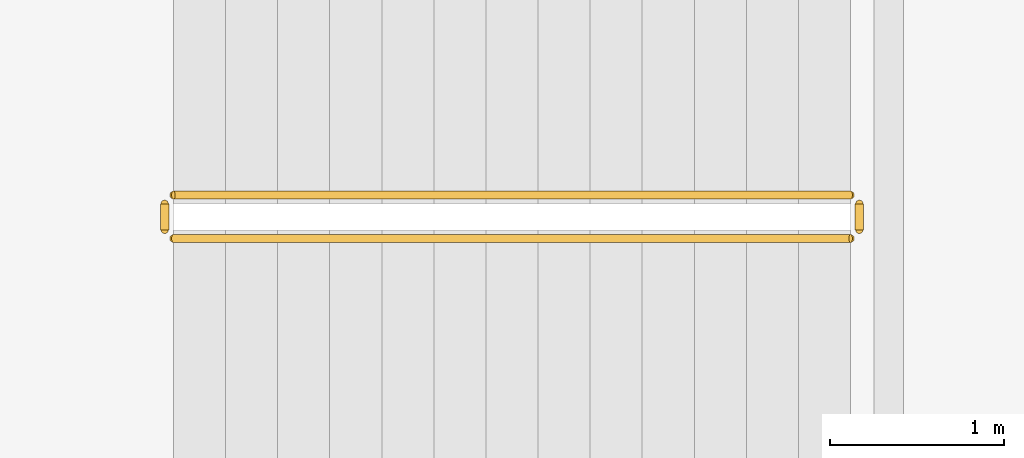
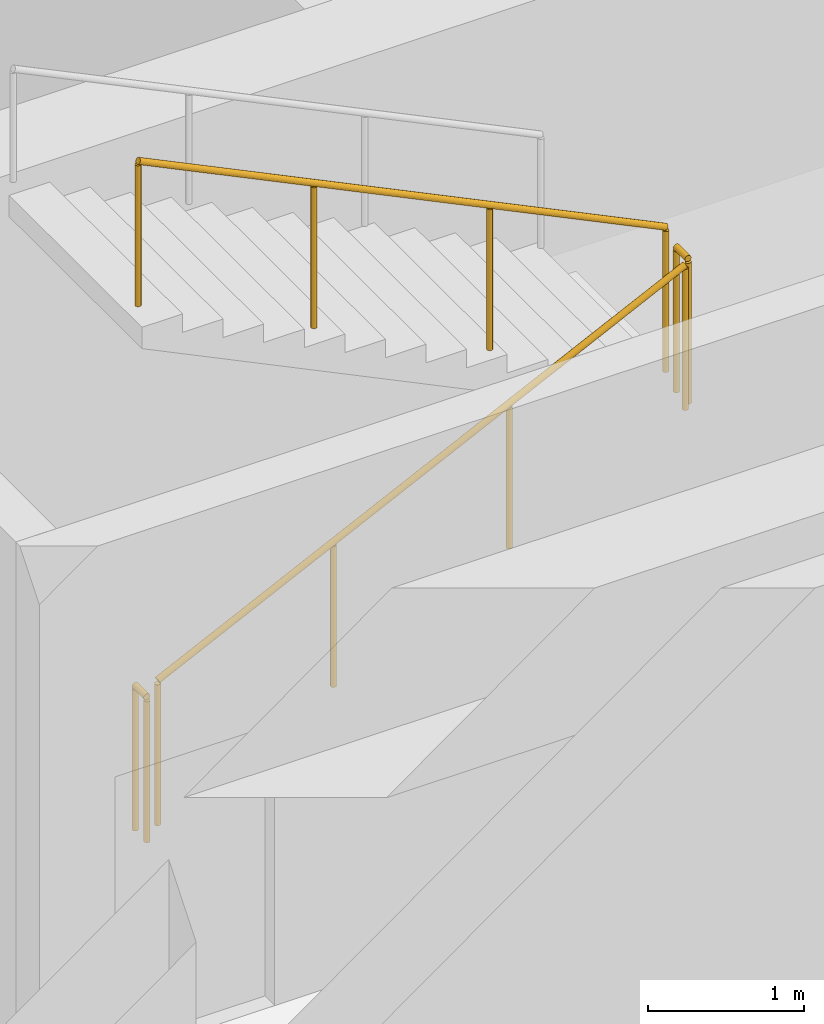
# One storey, part 20 of 27: 4 railings.
"""IFC4 building model written with IfcOpenShell, lengths in metres."""

from ifc_helpers import new_model, si_unit, direction, frame, origin, origin_2d, place, context, subcontext, project, spatial, circle, extrude, material, type_object, element, save


model = new_model("IFC4")

# Units and contexts
model_context = context("Model", 3, precision=1e-05, world=origin(), true_north=direction((0.0, 1.0)))
body_context = subcontext(model_context, "Body", "Model", "MODEL_VIEW")
ifc_project = project(units=[si_unit("LENGTHUNIT", "METRE"), si_unit("AREAUNIT", "SQUARE_METRE"), si_unit("VOLUMEUNIT", "CUBIC_METRE"), si_unit("PLANEANGLEUNIT", "RADIAN"), si_unit("MASSUNIT", "GRAM", prefix="KILO")], contexts=[model_context])

# Site, building, storey
site_placement = place(None, origin())
site = spatial("IfcSite", under=ifc_project, at=site_placement, CompositionType="ELEMENT")
building_placement = place(site_placement, origin())
building = spatial("IfcBuilding", under=site, at=building_placement, Name="Punatoya Terracotta Tower", CompositionType="ELEMENT")
storey_placement = place(building_placement, frame((0.0, 0.0, 204.60009765625)))
storey = spatial("IfcBuildingStorey", under=building, at=storey_placement, Name="L48", CompositionType="ELEMENT", Elevation=204.60009765625)

# Railings
ifc_material = material(Name="Steel S355", Category="steel")
railing_type = type_object("IfcRailingType", Name="RLG-GRD-1150", PredefinedType="GUARDRAIL", material=ifc_material)
railing_1_placement = place(storey_placement, frame((-2.89990234375, 6.949951171875, 0.14453125)))
element("IfcRailing", 1, at=railing_1_placement, inside=storey, type_object=railing_type, Name="L48 ST-3 stair guard 1", PredefinedType="GUARDRAIL", context=body_context, shape_type="SweptSolid", body=[
    extrude(circle(Radius=0.02392578125, at=origin_2d()), frame((0.0, 0.0, 1.1259765625), z_axis=(0.900763166376, 0.0, 0.434310623978), x_axis=(0.0, 1.0, 0.0)), (0.0, 0.0, 1.0), 4.32958984375),
    extrude(circle(Radius=0.02099609375, at=origin_2d()), origin(), (0.0, 0.0, 1.0), 1.101806640625),
    extrude(circle(Radius=0.02099609375, at=origin_2d()), frame((1.300048828125, 0.0, 0.626708984375)), (0.0, 0.0, 1.0), 1.101806640625),
    extrude(circle(Radius=0.02099609375, at=origin_2d()), frame((2.599853515625, 0.0, 1.253662109375)), (0.0, 0.0, 1.0), 1.101806640625),
    extrude(circle(Radius=0.02099609375, at=origin_2d()), frame((3.89990234375, 0.0, 1.88037109375)), (0.0, 0.0, 1.0), 1.101806640625),
])
railing_2_placement = place(storey_placement, frame((1.050048828125, 7.0, 2.02490234375)))
element("IfcRailing", 2, at=railing_2_placement, inside=storey, type_object=railing_type, Name="L48 ST-3 stair guard 2", PredefinedType="GUARDRAIL", context=body_context, shape_type="SweptSolid", body=[
    extrude(circle(Radius=0.02392578125, at=origin_2d()), frame((0.0, 0.0, 1.1259765625), z_axis=(0.0, 1.0, 0.0), x_axis=(-1.0, 0.0, 0.0)), (0.0, 0.0, 1.0), 0.14990234375),
    extrude(circle(Radius=0.02099609375, at=origin_2d()), origin(), (0.0, 0.0, 1.0), 1.101806640625),
    extrude(circle(Radius=0.02099609375, at=origin_2d()), frame((0.0, 0.14990234375, 0.0)), (0.0, 0.0, 1.0), 1.101806640625),
])
railing_3_placement = place(storey_placement, frame((1.0, 7.199951171875, 2.16943359375)))
element("IfcRailing", 3, at=railing_3_placement, inside=storey, type_object=railing_type, Name="L48 ST-3 stair guard 3", PredefinedType="GUARDRAIL", context=body_context, shape_type="SweptSolid", body=[
    extrude(circle(Radius=0.02392578125, at=origin_2d()), frame((0.0, 0.0, 1.1259765625), z_axis=(-0.900763166376, 0.0, 0.434310623978), x_axis=(0.0, -1.0, 0.0)), (0.0, 0.0, 1.0), 4.32958984375),
    extrude(circle(Radius=0.02099609375, at=origin_2d()), origin(), (0.0, 0.0, 1.0), 1.101806640625),
    extrude(circle(Radius=0.02099609375, at=origin_2d()), frame((-1.300048828125, 0.0, 0.626708984375)), (0.0, 0.0, 1.0), 1.101806640625),
    extrude(circle(Radius=0.02099609375, at=origin_2d()), frame((-2.599853515625, 0.0, 1.253662109375)), (0.0, 0.0, 1.0), 1.101806640625),
    extrude(circle(Radius=0.02099609375, at=origin_2d()), frame((-3.89990234375, 0.0, 1.88037109375)), (0.0, 0.0, 1.0), 1.101806640625),
])
railing_4_placement = place(storey_placement, frame((-2.949951171875, 7.0, 0.0)))
element("IfcRailing", 4, at=railing_4_placement, inside=storey, type_object=railing_type, Name="L48 ST-3 stair guard 4", PredefinedType="GUARDRAIL", context=body_context, shape_type="SweptSolid", body=[
    extrude(circle(Radius=0.02392578125, at=origin_2d()), frame((0.0, 0.0, 1.1259765625), z_axis=(0.0, 1.0, 0.0), x_axis=(-1.0, 0.0, 0.0)), (0.0, 0.0, 1.0), 0.14990234375),
    extrude(circle(Radius=0.02099609375, at=origin_2d()), origin(), (0.0, 0.0, 1.0), 1.101806640625),
    extrude(circle(Radius=0.02099609375, at=origin_2d()), frame((0.0, 0.14990234375, 0.0)), (0.0, 0.0, 1.0), 1.101806640625),
])

save(model, "model.ifc")
